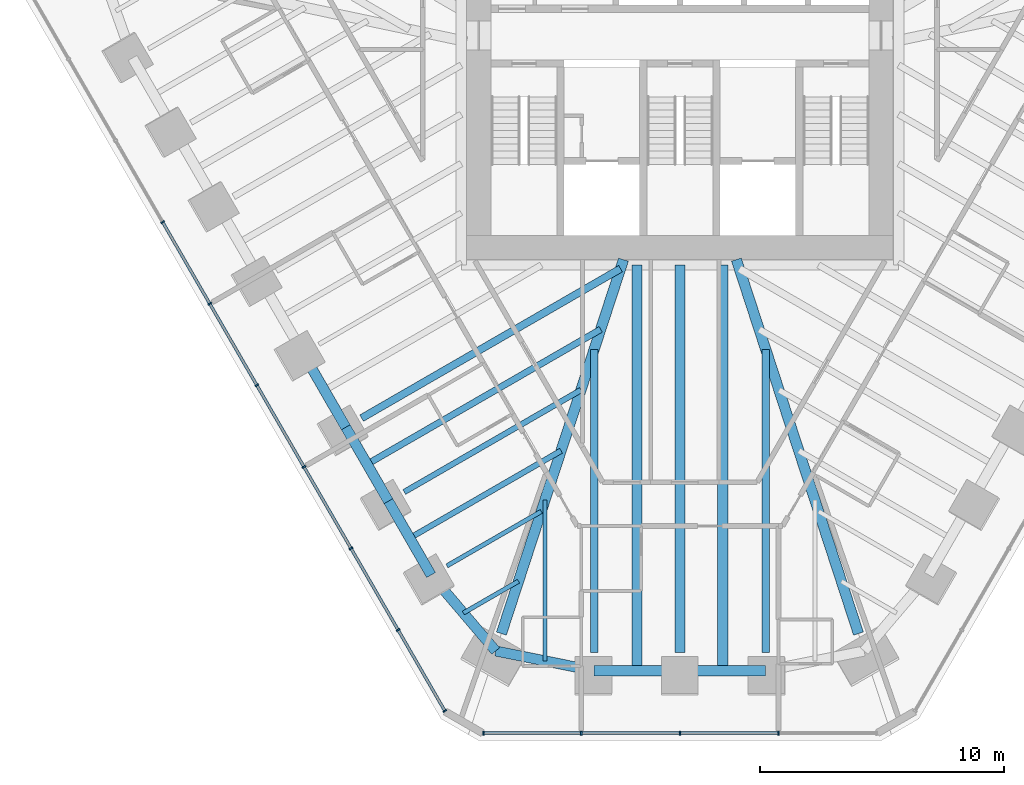
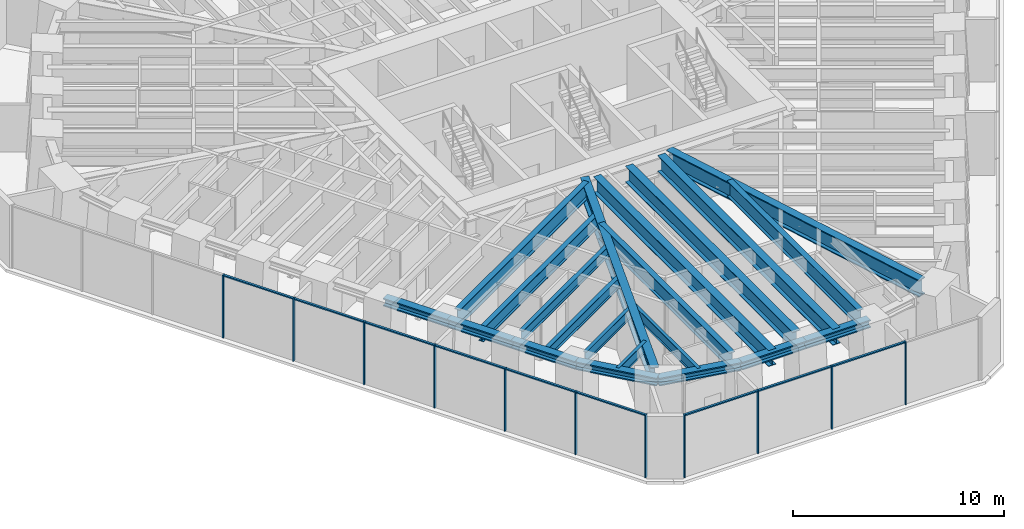
# One storey, part 2 of 16: 21 beams, 20 members, 2 elements without a shape of their own.
"""IFC4 building model written with IfcOpenShell, lengths in metres."""

from ifc_helpers import new_model, si_unit, direction, frame, origin, origin_2d, place, context, subcontext, project, spatial, rectangle, i_section, extrude, material, material_profile, profile_set, type_object, element, aggregate, save


model = new_model("IFC4")

# Units and contexts
model_context = context("Model", 3, precision=1e-05, world=origin(), true_north=direction((0.0, 1.0)))
body_context = subcontext(model_context, "Body", "Model", "MODEL_VIEW")
ifc_project = project(units=[si_unit("LENGTHUNIT", "METRE"), si_unit("AREAUNIT", "SQUARE_METRE"), si_unit("VOLUMEUNIT", "CUBIC_METRE"), si_unit("PLANEANGLEUNIT", "RADIAN"), si_unit("MASSUNIT", "GRAM", prefix="KILO")], contexts=[model_context])

# Site, building, storey
site_placement = place(None, origin())
site = spatial("IfcSite", under=ifc_project, at=site_placement, CompositionType="ELEMENT")
building_placement = place(site_placement, origin())
building = spatial("IfcBuilding", under=site, at=building_placement, Name="Sandreach Pilgrim Tower", CompositionType="ELEMENT")
storey_placement = place(building_placement, frame((0.0, 0.0, 247.800048828125)))
storey = spatial("IfcBuildingStorey", under=building, at=storey_placement, Name="L62", CompositionType="ELEMENT", Elevation=247.800048828125)

# Beams
ifc_material_1 = material(Name="Steel ASTM A913 Grade 65", Category="steel")
ifc_material_profile_1 = material_profile(ifc_material_1, i_section(OverallWidth=0.419189453125, OverallDepth=0.45458984375, WebThickness=0.042236328125, FlangeThickness=0.067626953125, at=origin_2d()), Name="W14X370")
ifc_profile_set_1 = profile_set([ifc_material_profile_1], Name="Steel ASTM A913 Grade 65")
beam_type_1 = type_object("IfcBeamType", Name="Belt truss chord W14X370", PredefinedType="BEAM", material=ifc_profile_set_1)
for number, where, z_axis, x_axis, name in (
    (1, (3.519775390625, -23.967041015625, 3.41259765625), (-1.0, 0.0, 0.0), (0.0, -1.0, 0.0), "BM L62 BTB23"),
    (2, (0.0, -23.967041015625, 3.41259765625), (-1.0, 0.0, 0.0), (0.0, -1.0, 0.0), "BM L62 BTB24"),
):
    element("IfcBeam", number, at=place(storey_placement, frame(where, z_axis=z_axis, x_axis=x_axis)), inside=storey, type_object=beam_type_1, Name=name, PredefinedType="BEAM", context=body_context, shape_type="SweptSolid", body=[
        extrude(i_section(OverallWidth=0.419189453125, OverallDepth=0.45458984375, WebThickness=0.042236328125, FlangeThickness=0.067626953125, at=origin_2d()), origin(), (0.0, 0.0, 1.0), 3.519775390625),
    ])
beam_1_placement = place(storey_placement, frame((-3.519775390625, -23.967041015625, 3.41259765625), z_axis=(-0.980391021595, 0.197062032814, 0.0), x_axis=(-0.197062032814, -0.980391021595, 0.0)))
element("IfcBeam", 3, at=beam_1_placement, inside=storey, type_object=beam_type_1, Name="BM L62 BTB25", PredefinedType="BEAM", context=body_context, shape_type="SweptSolid", body=[
    extrude(i_section(OverallWidth=0.419189453125, OverallDepth=0.45458984375, WebThickness=0.042236328125, FlangeThickness=0.067626953125, at=origin_2d()), origin(), (0.0, 0.0, 1.0), 4.119384765625),
])
beam_2_placement = place(storey_placement, frame((-7.558349609375, -23.1552734375, 3.41259765625), z_axis=(-0.648050155598, 0.761597660073, 0.0), x_axis=(-0.761597660073, -0.648050155598, 0.0)))
element("IfcBeam", 4, at=beam_2_placement, inside=storey, type_object=beam_type_1, Name="BM L62 BTB26", PredefinedType="BEAM", context=body_context, shape_type="SweptSolid", body=[
    extrude(i_section(OverallWidth=0.419189453125, OverallDepth=0.45458984375, WebThickness=0.042236328125, FlangeThickness=0.067626953125, at=origin_2d()), origin(), (0.0, 0.0, 1.0), 4.091796875),
])
beam_3_placement = place(storey_placement, frame((-10.2099609375, -20.0390625, 3.41259765625), z_axis=(-0.500010275428, 0.866019471182, 0.0), x_axis=(-0.866019471182, -0.500010275428, 0.0)))
element("IfcBeam", 5, at=beam_3_placement, inside=storey, type_object=beam_type_1, Name="BM L62 BTB27", PredefinedType="BEAM", context=body_context, shape_type="SweptSolid", body=[
    extrude(i_section(OverallWidth=0.419189453125, OverallDepth=0.45458984375, WebThickness=0.042236328125, FlangeThickness=0.067626953125, at=origin_2d()), origin(), (0.0, 0.0, 1.0), 3.5),
])
for number, where, z_axis, x_axis, name in (
    (6, (-11.9599609375, -17.008056640625, 3.41259765625), (-0.499957956484, 0.866049676259, 0.0), (-0.866049676259, -0.499957956484, 0.0), "BM L62 BTB28"),
    (7, (-13.709716796875, -13.97705078125, 3.41259765625), (-0.500040482552, 0.866002029911, 0.0), (-0.866002029911, -0.500040482552, 0.0), "BM L62 BTB29"),
):
    element("IfcBeam", number, at=place(storey_placement, frame(where, z_axis=z_axis, x_axis=x_axis)), inside=storey, type_object=beam_type_1, Name=name, PredefinedType="BEAM", context=body_context, shape_type="SweptSolid", body=[
        extrude(i_section(OverallWidth=0.419189453125, OverallDepth=0.45458984375, WebThickness=0.042236328125, FlangeThickness=0.067626953125, at=origin_2d()), origin(), (0.0, 0.0, 1.0), 3.499755859375),
    ])

# Curtain wall, members
ifc_material_2 = material(Name="Aluminium framed curtain wall", Category="aluminium")
curtain_wall_type = type_object("IfcCurtainWallType", Name="Upper hotel tower curtain wall", PredefinedType="NOTDEFINED", material=ifc_material_2)
curtain_wall_1_placement = place(storey_placement, origin())
curtain_wall_1 = element("IfcCurtainWall", 8, at=curtain_wall_1_placement, inside=storey, type_object=curtain_wall_type, Name="CW-3 L62 S", PredefinedType="NOTDEFINED")
ifc_material_3 = material(Name="Aluminium extrusion", Category="aluminium")
ifc_material_profile_2 = material_profile(ifc_material_3, rectangle(XDim=0.06494140625, YDim=0.159912109375, at=origin_2d()), Name="CW-3M 65X160")
ifc_profile_set_2 = profile_set([ifc_material_profile_2], Name="Aluminium extrusion")
member_type_1 = type_object("IfcMemberType", Name="CW-3 mullion", PredefinedType="MULLION", material=ifc_profile_set_2)
member_1_placement = place(storey_placement, frame((4.048583984375, -26.525146484375, 0.0), z_axis=(0.0, 0.0, 1.0), x_axis=(-1.0, 0.0, 0.0)))
member_1 = element("IfcMember", 9, at=member_1_placement, type_object=member_type_1, Name="CW-3 mullion 2", PredefinedType="MULLION", context=body_context, shape_type="SweptSolid", body=[
    extrude(rectangle(XDim=0.06494140625, YDim=0.159912109375, at=origin_2d()), origin(), (0.0, 0.0, 1.0), 3.639892578125),
])
member_2_placement = place(storey_placement, frame((0.0, -26.525146484375, 0.0), z_axis=(0.0, 0.0, 1.0), x_axis=(-1.0, 0.0, 0.0)))
member_2 = element("IfcMember", 10, at=member_2_placement, type_object=member_type_1, Name="CW-3 mullion 3", PredefinedType="MULLION", context=body_context, shape_type="SweptSolid", body=[
    extrude(rectangle(XDim=0.06494140625, YDim=0.159912109375, at=origin_2d()), origin(), (0.0, 0.0, 1.0), 3.639892578125),
])
member_3_placement = place(storey_placement, frame((-4.048583984375, -26.525146484375, 0.0), z_axis=(0.0, 0.0, 1.0), x_axis=(-1.0, 0.0, 0.0)))
member_3 = element("IfcMember", 11, at=member_3_placement, type_object=member_type_1, Name="CW-3 mullion 4", PredefinedType="MULLION", context=body_context, shape_type="SweptSolid", body=[
    extrude(rectangle(XDim=0.06494140625, YDim=0.159912109375, at=origin_2d()), origin(), (0.0, 0.0, 1.0), 3.639892578125),
])
member_4_placement = place(storey_placement, frame((-8.06494140625, -26.525146484375, 0.0), z_axis=(0.0, 0.0, 1.0), x_axis=(-1.0, 0.0, 0.0)))
member_4 = element("IfcMember", 12, at=member_4_placement, type_object=member_type_1, Name="CW-3 mullion 5", PredefinedType="MULLION", context=body_context, shape_type="SweptSolid", body=[
    extrude(rectangle(XDim=0.06494140625, YDim=0.159912109375, at=origin_2d()), origin(), (0.0, 0.0, 1.0), 3.639892578125),
])

curtain_wall_2_placement = place(storey_placement, origin())
curtain_wall_2 = element("IfcCurtainWall", 13, at=curtain_wall_2_placement, inside=storey, type_object=curtain_wall_type, Name="CW-3 L62 SW", PredefinedType="NOTDEFINED")
member_5_placement = place(storey_placement, frame((-9.646484375, -25.612060546875, 0.0), z_axis=(0.0, 0.0, 1.0), x_axis=(-0.5, 0.866025403784, 0.0)))
member_5 = element("IfcMember", 14, at=member_5_placement, type_object=member_type_1, Name="CW-3 mullion 1", PredefinedType="MULLION", context=body_context, shape_type="SweptSolid", body=[
    extrude(rectangle(XDim=0.06494140625, YDim=0.159912109375, at=origin_2d()), origin(), (0.0, 0.0, 1.0), 3.639892578125),
])
member_6_placement = place(storey_placement, frame((-11.5625, -22.29345703125, 0.0), z_axis=(0.0, 0.0, 1.0), x_axis=(-0.5, 0.866025403784, 0.0)))
member_6 = element("IfcMember", 15, at=member_6_placement, type_object=member_type_1, Name="CW-3 mullion 2", PredefinedType="MULLION", context=body_context, shape_type="SweptSolid", body=[
    extrude(rectangle(XDim=0.06494140625, YDim=0.159912109375, at=origin_2d()), origin(), (0.0, 0.0, 1.0), 3.639892578125),
])
member_7_placement = place(storey_placement, frame((-13.49462890625, -18.94677734375, 0.0), z_axis=(0.0, 0.0, 1.0), x_axis=(-0.5, 0.866025403784, 0.0)))
member_7 = element("IfcMember", 16, at=member_7_placement, type_object=member_type_1, Name="CW-3 mullion 3", PredefinedType="MULLION", context=body_context, shape_type="SweptSolid", body=[
    extrude(rectangle(XDim=0.06494140625, YDim=0.159912109375, at=origin_2d()), origin(), (0.0, 0.0, 1.0), 3.639892578125),
])
member_8_placement = place(storey_placement, frame((-15.4267578125, -15.60009765625, 0.0), z_axis=(0.0, 0.0, 1.0), x_axis=(-0.5, 0.866025403784, 0.0)))
member_8 = element("IfcMember", 17, at=member_8_placement, type_object=member_type_1, Name="CW-3 mullion 4", PredefinedType="MULLION", context=body_context, shape_type="SweptSolid", body=[
    extrude(rectangle(XDim=0.06494140625, YDim=0.159912109375, at=origin_2d()), origin(), (0.0, 0.0, 1.0), 3.639892578125),
])
member_9_placement = place(storey_placement, frame((-17.359130859375, -12.25341796875, 0.0), z_axis=(0.0, 0.0, 1.0), x_axis=(-0.5, 0.866025403784, 0.0)))
member_9 = element("IfcMember", 18, at=member_9_placement, type_object=member_type_1, Name="CW-3 mullion 5", PredefinedType="MULLION", context=body_context, shape_type="SweptSolid", body=[
    extrude(rectangle(XDim=0.06494140625, YDim=0.159912109375, at=origin_2d()), origin(), (0.0, 0.0, 1.0), 3.639892578125),
])
member_10_placement = place(storey_placement, frame((-19.291259765625, -8.90673828125, 0.0), z_axis=(0.0, 0.0, 1.0), x_axis=(-0.5, 0.866025403784, 0.0)))
member_10 = element("IfcMember", 19, at=member_10_placement, type_object=member_type_1, Name="CW-3 mullion 6", PredefinedType="MULLION", context=body_context, shape_type="SweptSolid", body=[
    extrude(rectangle(XDim=0.06494140625, YDim=0.159912109375, at=origin_2d()), origin(), (0.0, 0.0, 1.0), 3.639892578125),
])
member_11_placement = place(storey_placement, frame((-21.223388671875, -5.56005859375, 0.0), z_axis=(0.0, 0.0, 1.0), x_axis=(-0.5, 0.866025403784, 0.0)))
member_11 = element("IfcMember", 20, at=member_11_placement, type_object=member_type_1, Name="CW-3 mullion 7", PredefinedType="MULLION", context=body_context, shape_type="SweptSolid", body=[
    extrude(rectangle(XDim=0.06494140625, YDim=0.159912109375, at=origin_2d()), origin(), (0.0, 0.0, 1.0), 3.639892578125),
])

# Member
ifc_material_4 = material(Name="Aluminium extrusion", Category="aluminium")
ifc_material_profile_3 = material_profile(ifc_material_4, rectangle(XDim=0.1201171875, YDim=0.070068359375, at=origin_2d()), Name="CW-3T 120X70")
ifc_profile_set_3 = profile_set([ifc_material_profile_3], Name="Aluminium extrusion")
member_type_2 = type_object("IfcMemberType", Name="CW-3 transom", PredefinedType="USERDEFINED", material=ifc_profile_set_3)
member_12_placement = place(storey_placement, frame((4.01611328125, -26.525146484375, 3.60498046875), z_axis=(-1.0, 0.0, 0.0), x_axis=(0.0, -1.0, 0.0)))
member_12 = element("IfcMember", 21, at=member_12_placement, type_object=member_type_2, Name="CW-3 head transom 2", ObjectType="TRANSOM", PredefinedType="USERDEFINED", context=body_context, shape_type="SweptSolid", body=[
    extrude(rectangle(XDim=0.1201171875, YDim=0.070068359375, at=origin_2d()), origin(), (0.0, 0.0, 1.0), 3.983642578125),
])

member_13_placement = place(storey_placement, frame((-0.032470703125, -26.525146484375, 3.60498046875), z_axis=(-1.0, 0.0, 0.0), x_axis=(0.0, -1.0, 0.0)))
member_13 = element("IfcMember", 22, at=member_13_placement, type_object=member_type_2, Name="CW-3 head transom 3", ObjectType="TRANSOM", PredefinedType="USERDEFINED", context=body_context, shape_type="SweptSolid", body=[
    extrude(rectangle(XDim=0.1201171875, YDim=0.070068359375, at=origin_2d()), origin(), (0.0, 0.0, 1.0), 3.983642578125),
])

member_14_placement = place(storey_placement, frame((-4.081298828125, -26.525146484375, 3.60498046875), z_axis=(-1.0, 0.0, 0.0), x_axis=(0.0, -1.0, 0.0)))
member_14 = element("IfcMember", 23, at=member_14_placement, type_object=member_type_2, Name="CW-3 head transom 4", ObjectType="TRANSOM", PredefinedType="USERDEFINED", context=body_context, shape_type="SweptSolid", body=[
    extrude(rectangle(XDim=0.1201171875, YDim=0.070068359375, at=origin_2d()), origin(), (0.0, 0.0, 1.0), 3.951171875),
])

aggregate(curtain_wall_1, [member_1, member_2, member_3, member_4, member_12, member_13, member_14])

member_15_placement = place(storey_placement, frame((-9.662841796875, -25.583740234375, 3.60498046875), z_axis=(-0.499973055223, 0.8660409598, 0.0), x_axis=(-0.8660409598, -0.499973055223, 0.0)))
member_15 = element("IfcMember", 24, at=member_15_placement, type_object=member_type_2, Name="CW-3 head transom 1", ObjectType="TRANSOM", PredefinedType="USERDEFINED", context=body_context, shape_type="SweptSolid", body=[
    extrude(rectangle(XDim=0.1201171875, YDim=0.070068359375, at=origin_2d()), origin(), (0.0, 0.0, 1.0), 3.766845703125),
])

member_16_placement = place(storey_placement, frame((-11.57861328125, -22.265380859375, 3.60498046875), z_axis=(-0.500022797313, 0.86601224135, 0.0), x_axis=(-0.86601224135, -0.500022797313, 0.0)))
member_16 = element("IfcMember", 25, at=member_16_placement, type_object=member_type_2, Name="CW-3 head transom 2", ObjectType="TRANSOM", PredefinedType="USERDEFINED", context=body_context, shape_type="SweptSolid", body=[
    extrude(rectangle(XDim=0.1201171875, YDim=0.070068359375, at=origin_2d()), origin(), (0.0, 0.0, 1.0), 3.799560546875),
])

member_17_placement = place(storey_placement, frame((-13.510986328125, -18.918701171875, 3.60498046875), z_axis=(-0.499974606132, 0.866040064445, 0.0), x_axis=(-0.866040064445, -0.499974606132, 0.0)))
member_17 = element("IfcMember", 26, at=member_17_placement, type_object=member_type_2, Name="CW-3 head transom 3", ObjectType="TRANSOM", PredefinedType="USERDEFINED", context=body_context, shape_type="SweptSolid", body=[
    extrude(rectangle(XDim=0.1201171875, YDim=0.070068359375, at=origin_2d()), origin(), (0.0, 0.0, 1.0), 3.799560546875),
])

member_18_placement = place(storey_placement, frame((-15.443115234375, -15.572021484375, 3.60498046875), z_axis=(-0.499974606132, 0.866040064445, 0.0), x_axis=(-0.866040064445, -0.499974606132, 0.0)))
member_18 = element("IfcMember", 27, at=member_18_placement, type_object=member_type_2, Name="CW-3 head transom 4", ObjectType="TRANSOM", PredefinedType="USERDEFINED", context=body_context, shape_type="SweptSolid", body=[
    extrude(rectangle(XDim=0.1201171875, YDim=0.070068359375, at=origin_2d()), origin(), (0.0, 0.0, 1.0), 3.799560546875),
])

member_19_placement = place(storey_placement, frame((-17.375244140625, -12.225341796875, 3.60498046875), z_axis=(-0.500022797313, 0.86601224135, 0.0), x_axis=(-0.86601224135, -0.500022797313, 0.0)))
member_19 = element("IfcMember", 28, at=member_19_placement, type_object=member_type_2, Name="CW-3 head transom 5", ObjectType="TRANSOM", PredefinedType="USERDEFINED", context=body_context, shape_type="SweptSolid", body=[
    extrude(rectangle(XDim=0.1201171875, YDim=0.070068359375, at=origin_2d()), origin(), (0.0, 0.0, 1.0), 3.799560546875),
])

member_20_placement = place(storey_placement, frame((-19.3076171875, -8.878662109375, 3.60498046875), z_axis=(-0.499974606132, 0.866040064445, 0.0), x_axis=(-0.866040064445, -0.499974606132, 0.0)))
member_20 = element("IfcMember", 29, at=member_20_placement, type_object=member_type_2, Name="CW-3 head transom 6", ObjectType="TRANSOM", PredefinedType="USERDEFINED", context=body_context, shape_type="SweptSolid", body=[
    extrude(rectangle(XDim=0.1201171875, YDim=0.070068359375, at=origin_2d()), origin(), (0.0, 0.0, 1.0), 3.799560546875),
])

aggregate(curtain_wall_2, [member_5, member_6, member_7, member_8, member_9, member_10, member_11, member_15, member_16, member_17, member_18, member_19, member_20])

# Beams
ifc_material_5 = material(Name="Steel ASTM A992 Grade 50", Category="steel")
ifc_material_profile_4 = material_profile(ifc_material_5, i_section(OverallWidth=0.4267578125, OverallDepth=0.975341796875, WebThickness=0.031005859375, FlangeThickness=0.055908203125, at=origin_2d()), Name="W36X395")
ifc_profile_set_4 = profile_set([ifc_material_profile_4], Name="Steel ASTM A992 Grade 50")
beam_type_2 = type_object("IfcBeamType", Name="Corner girder W36X395", PredefinedType="BEAM", material=ifc_profile_set_4)
for number, where, z_axis, x_axis, name in (
    (30, (7.32568359375, -22.442138671875, 3.15234375), (-0.310312785332, 0.950634511923, 0.0), (-0.950634511923, -0.310312785332, 0.0), "BM L62 CG22"),
    (31, (-7.32568359375, -22.442138671875, 3.15234375), (0.310312785332, 0.950634511923, 0.0), (-0.950634511923, 0.310312785332, 0.0), "BM L62 CG26"),
):
    element("IfcBeam", number, at=place(storey_placement, frame(where, z_axis=z_axis, x_axis=x_axis)), inside=storey, type_object=beam_type_2, Name=name, PredefinedType="BEAM", context=body_context, shape_type="SweptSolid", body=[
        extrude(i_section(OverallWidth=0.4267578125, OverallDepth=0.975341796875, WebThickness=0.031005859375, FlangeThickness=0.055908203125, at=origin_2d()), origin(), (0.0, 0.0, 1.0), 16.138671875),
    ])
ifc_material_6 = material(Name="Steel ASTM A992 Grade 50", Category="steel")
ifc_material_profile_5 = material_profile(ifc_material_6, i_section(OverallWidth=0.1787109375, OverallDepth=0.60205078125, WebThickness=0.010986328125, FlangeThickness=0.014892578125, at=origin_2d()), Name="W24X62")
ifc_profile_set_5 = profile_set([ifc_material_profile_5], Name="Steel ASTM A992 Grade 50")
beam_type_3 = type_object("IfcBeamType", Name="Floor beam W24X62", PredefinedType="BEAM", material=ifc_profile_set_5)
beam_4_placement = place(storey_placement, frame((-9.560546875, -19.6640625, 3.3388671875), z_axis=(0.866026425853, 0.499998229721, 0.0), x_axis=(-0.499998229721, 0.866026425853, 0.0)))
element("IfcBeam", 32, at=beam_4_placement, inside=storey, type_object=beam_type_3, Name="BM L62 F27", PredefinedType="BEAM", context=body_context, shape_type="SweptSolid", body=[
    extrude(i_section(OverallWidth=0.1787109375, OverallDepth=0.60205078125, WebThickness=0.010986328125, FlangeThickness=0.014892578125, at=origin_2d()), origin(), (0.0, 0.0, 1.0), 4.47021484375),
])
beam_5_placement = place(storey_placement, frame((-5.5390625, -23.56103515625, 3.3388671875), z_axis=(0.0, 1.0, 0.0), x_axis=(-1.0, 0.0, 0.0)))
element("IfcBeam", 33, at=beam_5_placement, inside=storey, type_object=beam_type_3, Name="BM L62 FM25", PredefinedType="BEAM", context=body_context, shape_type="SweptSolid", body=[
    extrude(i_section(OverallWidth=0.1787109375, OverallDepth=0.60205078125, WebThickness=0.010986328125, FlangeThickness=0.014892578125, at=origin_2d()), origin(), (0.0, 0.0, 1.0), 6.592041015625),
])
beam_6_placement = place(storey_placement, frame((-8.88427734375, -21.59716796875, 3.3388671875), z_axis=(0.866012692104, 0.500022016631, 0.0), x_axis=(-0.500022016631, 0.866012692104, 0.0)))
element("IfcBeam", 34, at=beam_6_placement, inside=storey, type_object=beam_type_3, Name="BM L62 FM26", PredefinedType="BEAM", context=body_context, shape_type="SweptSolid", body=[
    extrude(i_section(OverallWidth=0.1787109375, OverallDepth=0.60205078125, WebThickness=0.010986328125, FlangeThickness=0.014892578125, at=origin_2d()), origin(), (0.0, 0.0, 1.0), 2.6103515625),
])
ifc_material_7 = material(Name="Steel ASTM A992 Grade 50", Category="steel")
ifc_material_profile_6 = material_profile(ifc_material_7, i_section(OverallWidth=0.23046875, OverallDepth=0.6171875, WebThickness=0.01318359375, FlangeThickness=0.022216796875, at=origin_2d()), Name="W24X94")
ifc_profile_set_6 = profile_set([ifc_material_profile_6], Name="Steel ASTM A992 Grade 50")
beam_type_4 = type_object("IfcBeamType", Name="Floor beam W24X94", PredefinedType="BEAM", material=ifc_profile_set_6)
beam_7_placement = place(storey_placement, frame((-11.310302734375, -16.633056640625, 3.331298828125), z_axis=(0.866024275449, 0.500001954328, 0.0), x_axis=(-0.500001954328, 0.866024275449, 0.0)))
element("IfcBeam", 35, at=beam_7_placement, inside=storey, type_object=beam_type_4, Name="BM L62 F28", PredefinedType="BEAM", context=body_context, shape_type="SweptSolid", body=[
    extrude(i_section(OverallWidth=0.23046875, OverallDepth=0.6171875, WebThickness=0.01318359375, FlangeThickness=0.022216796875, at=origin_2d()), origin(), (0.0, 0.0, 1.0), 8.36767578125),
])
beam_8_placement = place(storey_placement, frame((-11.0849609375, -18.5234375, 3.331298828125), z_axis=(0.8660404058, 0.499974014847, 0.0), x_axis=(-0.499974014847, 0.8660404058, 0.0)))
element("IfcBeam", 36, at=beam_8_placement, inside=storey, type_object=beam_type_4, Name="BM L62 FM27", PredefinedType="BEAM", context=body_context, shape_type="SweptSolid", body=[
    extrude(i_section(OverallWidth=0.23046875, OverallDepth=0.6171875, WebThickness=0.01318359375, FlangeThickness=0.022216796875, at=origin_2d()), origin(), (0.0, 0.0, 1.0), 7.1689453125),
])
ifc_material_8 = material(Name="Steel ASTM A992 Grade 50", Category="steel")
ifc_material_profile_7 = material_profile(ifc_material_8, i_section(OverallWidth=0.2666015625, OverallDepth=0.77978515625, WebThickness=0.0166015625, FlangeThickness=0.030029296875, at=origin_2d()), Name="W30X148")
ifc_profile_set_7 = profile_set([ifc_material_profile_7], Name="Steel ASTM A992 Grade 50")
beam_type_5 = type_object("IfcBeamType", Name="Floor beam W30X148", PredefinedType="BEAM", material=ifc_profile_set_7)
beam_9_placement = place(storey_placement, frame((-12.834716796875, -15.49267578125, 3.25), z_axis=(0.86602430345, 0.500001905831, 0.0), x_axis=(-0.500001905831, 0.86602430345, 0.0)))
element("IfcBeam", 37, at=beam_9_placement, inside=storey, type_object=beam_type_5, Name="BM L62 FM28", PredefinedType="BEAM", context=body_context, shape_type="SweptSolid", body=[
    extrude(i_section(OverallWidth=0.2666015625, OverallDepth=0.77978515625, WebThickness=0.0166015625, FlangeThickness=0.030029296875, at=origin_2d()), origin(), (0.0, 0.0, 1.0), 11.06640625),
])
ifc_material_9 = material(Name="Steel ASTM A992 Grade 50", Category="steel")
ifc_material_profile_8 = material_profile(ifc_material_9, i_section(OverallWidth=0.3046875, OverallDepth=0.914306640625, WebThickness=0.0166015625, FlangeThickness=0.02587890625, at=origin_2d()), Name="W36X160")
ifc_profile_set_8 = profile_set([ifc_material_profile_8], Name="Steel ASTM A992 Grade 50")
beam_type_6 = type_object("IfcBeamType", Name="Floor beam W36X160", PredefinedType="BEAM", material=ifc_profile_set_8)
for number, where, z_axis, x_axis, name in (
    (38, (3.519775390625, -23.217041015625, 3.182861328125), (0.0, 1.0, 0.0), (-1.0, 0.0, 0.0), "BM L62 F23"),
    (39, (-3.519775390625, -23.217041015625, 3.182861328125), (0.0, 1.0, 0.0), (-1.0, 0.0, 0.0), "BM L62 F25"),
):
    element("IfcBeam", number, at=place(storey_placement, frame(where, z_axis=z_axis, x_axis=x_axis)), inside=storey, type_object=beam_type_6, Name=name, PredefinedType="BEAM", context=body_context, shape_type="SweptSolid", body=[
        extrude(i_section(OverallWidth=0.3046875, OverallDepth=0.914306640625, WebThickness=0.0166015625, FlangeThickness=0.02587890625, at=origin_2d()), origin(), (0.0, 0.0, 1.0), 12.434326171875),
    ])
beam_10_placement = place(storey_placement, frame((-13.060302734375, -13.60205078125, 3.182861328125), z_axis=(0.866028467973, 0.499994692632, 0.0), x_axis=(-0.499994692632, 0.866028467973, 0.0)))
element("IfcBeam", 40, at=beam_10_placement, inside=storey, type_object=beam_type_6, Name="BM L62 F29", PredefinedType="BEAM", context=body_context, shape_type="SweptSolid", body=[
    extrude(i_section(OverallWidth=0.3046875, OverallDepth=0.914306640625, WebThickness=0.0166015625, FlangeThickness=0.02587890625, at=origin_2d()), origin(), (0.0, 0.0, 1.0), 12.265380859375),
])
ifc_material_10 = material(Name="Steel ASTM A992 Grade 50", Category="steel")
ifc_material_profile_9 = material_profile(ifc_material_10, i_section(OverallWidth=0.419189453125, OverallDepth=0.927001953125, WebThickness=0.019287109375, FlangeThickness=0.031982421875, at=origin_2d()), Name="W36X231")
ifc_profile_set_9 = profile_set([ifc_material_profile_9], Name="Steel ASTM A992 Grade 50")
beam_type_7 = type_object("IfcBeamType", Name="Floor beam W36X231", PredefinedType="BEAM", material=ifc_profile_set_9)
beam_11_placement = place(storey_placement, frame((0.0, -23.217041015625, 3.176513671875), z_axis=(0.0, 1.0, 0.0), x_axis=(-1.0, 0.0, 0.0)))
element("IfcBeam", 41, at=beam_11_placement, inside=storey, type_object=beam_type_7, Name="BM L62 F24", PredefinedType="BEAM", context=body_context, shape_type="SweptSolid", body=[
    extrude(i_section(OverallWidth=0.419189453125, OverallDepth=0.927001953125, WebThickness=0.019287109375, FlangeThickness=0.031982421875, at=origin_2d()), origin(), (0.0, 0.0, 1.0), 15.89501953125),
])
for number, where, z_axis, x_axis, name in (
    (42, (1.759765625, -23.967041015625, 3.176513671875), (0.0, 1.0, 0.0), (-1.0, 0.0, 0.0), "BM L62 FM23"),
    (43, (-1.759765625, -23.967041015625, 3.176513671875), (0.0, 1.0, 0.0), (-1.0, 0.0, 0.0), "BM L62 FM24"),
):
    element("IfcBeam", number, at=place(storey_placement, frame(where, z_axis=z_axis, x_axis=x_axis)), inside=storey, type_object=beam_type_7, Name=name, PredefinedType="BEAM", context=body_context, shape_type="SweptSolid", body=[
        extrude(i_section(OverallWidth=0.419189453125, OverallDepth=0.927001953125, WebThickness=0.019287109375, FlangeThickness=0.031982421875, at=origin_2d()), origin(), (0.0, 0.0, 1.0), 16.64501953125),
    ])

save(model, "model.ifc")
